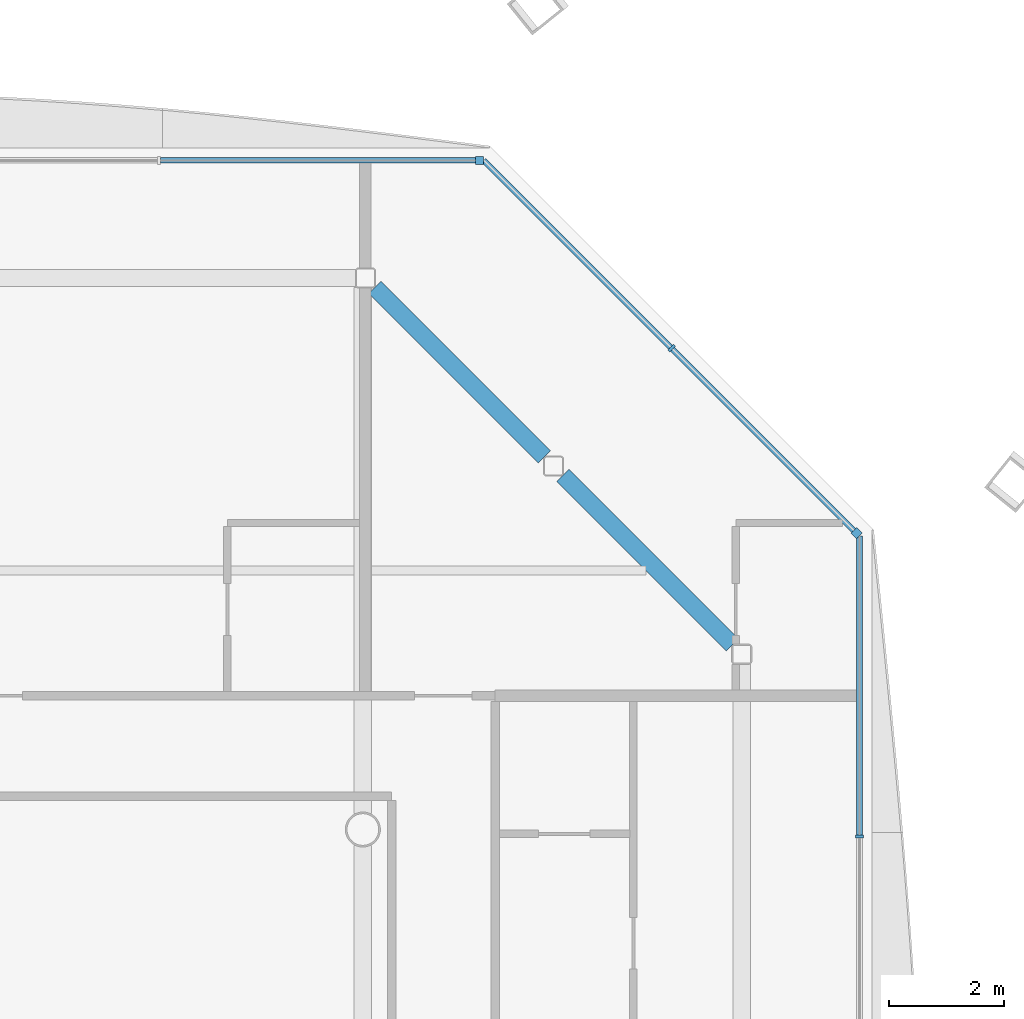
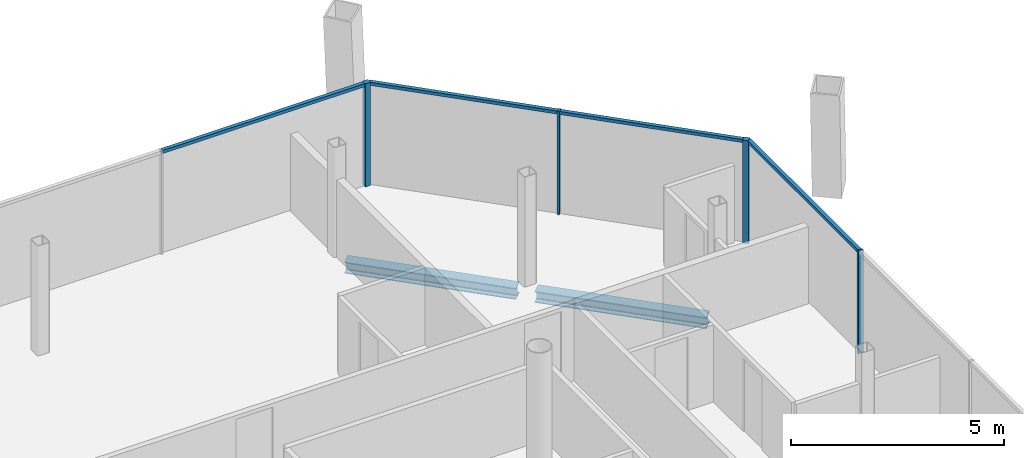
# One storey, part 12 of 20: 8 members, 2 beams, 3 elements without a shape of their own.
"""IFC4 building model written with IfcOpenShell, lengths in metres."""

from ifc_helpers import new_model, si_unit, direction, frame, origin, origin_2d, place, context, subcontext, project, spatial, rectangle, i_section, extrude, material, material_profile, profile_set, type_object, element, aggregate, save


model = new_model("IFC4")

# Units and contexts
model_context = context("Model", 3, precision=1e-05, world=origin(), true_north=direction((0.0, 1.0)))
body_context = subcontext(model_context, "Body", "Model", "MODEL_VIEW")
ifc_project = project(units=[si_unit("LENGTHUNIT", "METRE"), si_unit("AREAUNIT", "SQUARE_METRE"), si_unit("VOLUMEUNIT", "CUBIC_METRE"), si_unit("PLANEANGLEUNIT", "RADIAN"), si_unit("MASSUNIT", "GRAM", prefix="KILO")], contexts=[model_context])

# Site, building, storey
site_placement = place(None, origin())
site = spatial("IfcSite", under=ifc_project, at=site_placement, CompositionType="ELEMENT")
building_placement = place(site_placement, origin())
building = spatial("IfcBuilding", under=site, at=building_placement, Name="Tskaro Facet Tower", CompositionType="ELEMENT")
storey_placement = place(building_placement, frame((0.0, 0.0, 187.949951171875)))
storey = spatial("IfcBuildingStorey", under=building, at=storey_placement, Name="L47", CompositionType="ELEMENT", Elevation=187.949951171875)

# Curtain wall, member
ifc_material_1 = material(Name="Bronze anodised aluminium 6063-T6", Category="aluminium")
curtain_wall_type = type_object("IfcCurtainWallType", Name="Bronze residence curtain wall (FW3)", PredefinedType="NOTDEFINED", material=ifc_material_1)
curtain_wall_1_placement = place(storey_placement, origin())
curtain_wall_1 = element("IfcCurtainWall", 1, at=curtain_wall_1_placement, inside=storey, type_object=curtain_wall_type, Name="FW3 north-east facet L47", PredefinedType="NOTDEFINED")
ifc_material_profile_1 = material_profile(ifc_material_1, rectangle(XDim=0.139892578125, YDim=0.139892578125, at=origin_2d()), Name="Corner post 140x140")
ifc_profile_set_1 = profile_set([ifc_material_profile_1], Name="Bronze anodised aluminium 6063-T6")
member_type_1 = type_object("IfcMemberType", Name="FW3 bronze corner post 140x140", PredefinedType="MULLION", material=ifc_profile_set_1)
member_1_placement = place(storey_placement, frame((17.57861328125, 14.1494140625, 0.0), z_axis=(0.0, 0.0, 1.0), x_axis=(-0.707106781187, 0.707106781187, 0.0)))
member_1 = element("IfcMember", 2, at=member_1_placement, type_object=member_type_1, Name="FW3 north-east corner post", PredefinedType="MULLION", context=body_context, shape_type="SweptSolid", body=[
    extrude(rectangle(XDim=0.139892578125, YDim=0.139892578125, at=origin_2d()), origin(), (0.0, 0.0, 1.0), 2.949951171875),
])

curtain_wall_2_placement = place(storey_placement, origin())
curtain_wall_2 = element("IfcCurtainWall", 3, at=curtain_wall_2_placement, inside=storey, type_object=curtain_wall_type, Name="FW3 north facet L47", PredefinedType="NOTDEFINED")
member_2_placement = place(storey_placement, frame((11.030029296875, 20.6279296875, 0.0), z_axis=(0.0, 0.0, 1.0), x_axis=(-1.0, 0.0, 0.0)))
member_2 = element("IfcMember", 4, at=member_2_placement, type_object=member_type_1, Name="FW3 north corner post", PredefinedType="MULLION", context=body_context, shape_type="SweptSolid", body=[
    extrude(rectangle(XDim=0.139892578125, YDim=0.139892578125, at=origin_2d()), origin(), (0.0, 0.0, 1.0), 2.949951171875),
])

curtain_wall_3_placement = place(storey_placement, origin())
curtain_wall_3 = element("IfcCurtainWall", 5, at=curtain_wall_3_placement, inside=storey, type_object=curtain_wall_type, Name="FW3 east facet L47", PredefinedType="NOTDEFINED")
ifc_material_profile_2 = material_profile(ifc_material_1, rectangle(XDim=0.050048828125, YDim=0.139892578125, at=origin_2d()), Name="Mullion 50x140")
ifc_profile_set_2 = profile_set([ifc_material_profile_2], Name="Bronze anodised aluminium 6063-T6")
member_type_2 = type_object("IfcMemberType", Name="FW3 bronze mullion 50x140", PredefinedType="MULLION", material=ifc_profile_set_2)
member_3_placement = place(storey_placement, frame((17.6279296875, 8.8818359375, 0.0), z_axis=(0.0, 0.0, 1.0), x_axis=(0.0, 1.0, 0.0)))
member_3 = element("IfcMember", 6, at=member_3_placement, type_object=member_type_2, Name="FW3 east mullion 5", PredefinedType="MULLION", context=body_context, shape_type="SweptSolid", body=[
    extrude(rectangle(XDim=0.050048828125, YDim=0.139892578125, at=origin_2d()), origin(), (0.0, 0.0, 1.0), 2.949951171875),
])

# Member
member_4_placement = place(storey_placement, frame((14.364013671875, 17.364013671875, 0.0), z_axis=(0.0, 0.0, 1.0), x_axis=(-0.707106781187, 0.707106781187, 0.0)))
member_4 = element("IfcMember", 7, at=member_4_placement, type_object=member_type_2, Name="FW3 north-east mullion 1", PredefinedType="MULLION", context=body_context, shape_type="SweptSolid", body=[
    extrude(rectangle(XDim=0.050048828125, YDim=0.139892578125, at=origin_2d()), origin(), (0.0, 0.0, 1.0), 2.949951171875),
])

ifc_material_profile_3 = material_profile(ifc_material_1, rectangle(XDim=0.10009765625, YDim=0.090087890625, at=origin_2d()), Name="Transom 100x90")
ifc_profile_set_3 = profile_set([ifc_material_profile_3], Name="Bronze anodised aluminium 6063-T6")
member_type_3 = type_object("IfcMemberType", Name="FW3 bronze transom 100x90", PredefinedType="USERDEFINED", material=ifc_profile_set_3)
member_5_placement = place(storey_placement, frame((17.6279296875, 8.90673828125, 2.905029296875), z_axis=(0.0, 1.0, 0.0), x_axis=(-1.0, 0.0, 0.0)))
member_5 = element("IfcMember", 8, at=member_5_placement, type_object=member_type_3, Name="FW3 east transom 6.1", ObjectType="TRANSOM", PredefinedType="USERDEFINED", context=body_context, shape_type="SweptSolid", body=[
    extrude(rectangle(XDim=0.10009765625, YDim=0.090087890625, at=origin_2d()), origin(), (0.0, 0.0, 1.0), 5.193359375),
])

aggregate(curtain_wall_3, [member_3, member_5])

member_6_placement = place(storey_placement, frame((17.529052734375, 14.198974609375, 2.905029296875), z_axis=(-0.707106781187, 0.707106781187, 0.0), x_axis=(-0.707106781187, -0.707106781187, 0.0)))
member_6 = element("IfcMember", 9, at=member_6_placement, type_object=member_type_3, Name="FW3 north-east transom 1.1", ObjectType="TRANSOM", PredefinedType="USERDEFINED", context=body_context, shape_type="SweptSolid", body=[
    extrude(rectangle(XDim=0.10009765625, YDim=0.090087890625, at=origin_2d()), origin(), (0.0, 0.0, 1.0), 4.451171875),
])

member_7_placement = place(storey_placement, frame((14.346435546875, 17.381591796875, 2.905029296875), z_axis=(-0.707106781187, 0.707106781187, 0.0), x_axis=(-0.707106781187, -0.707106781187, 0.0)))
member_7 = element("IfcMember", 10, at=member_7_placement, type_object=member_type_3, Name="FW3 north-east transom 2.1", ObjectType="TRANSOM", PredefinedType="USERDEFINED", context=body_context, shape_type="SweptSolid", body=[
    extrude(rectangle(XDim=0.10009765625, YDim=0.090087890625, at=origin_2d()), origin(), (0.0, 0.0, 1.0), 4.591064453125),
])

aggregate(curtain_wall_1, [member_1, member_4, member_6, member_7])

member_8_placement = place(storey_placement, frame((10.9599609375, 20.6279296875, 2.905029296875), z_axis=(-1.0, 0.0, 0.0), x_axis=(0.0, -1.0, 0.0)))
member_8 = element("IfcMember", 11, at=member_8_placement, type_object=member_type_3, Name="FW3 north transom 1.1", ObjectType="TRANSOM", PredefinedType="USERDEFINED", context=body_context, shape_type="SweptSolid", body=[
    extrude(rectangle(XDim=0.10009765625, YDim=0.090087890625, at=origin_2d()), origin(), (0.0, 0.0, 1.0), 5.474853515625),
])

aggregate(curtain_wall_2, [member_2, member_8])

# Beams
ifc_material_2 = material(Name="Steel S355J2", Category="steel")
ifc_material_profile_4 = material_profile(ifc_material_2, i_section(OverallWidth=0.300048828125, OverallDepth=0.320068359375, WebThickness=0.011474609375, FlangeThickness=0.0205078125, FilletRadius=0.027099609375, at=origin_2d()), Name="HE 320 B")
ifc_profile_set_4 = profile_set([ifc_material_profile_4], Name="Steel S355J2")
beam_type = type_object("IfcBeamType", Name="HE 320 B ring beam", PredefinedType="BEAM", material=ifc_profile_set_4)
for number, where, z_axis, x_axis, name in (
    (12, (15.422119140625, 12.206787109375, -0.300048828125), (-0.70722393913, 0.706989603829, 0.0), (-0.706989603829, -0.70722393913, 0.0), "HE 320 B EB10-4"),
    (13, (12.153076171875, 15.474853515625, -0.300048828125), (-0.706989603829, 0.70722393913, 0.0), (-0.70722393913, -0.706989603829, 0.0), "HE 320 B EB11-4"),
):
    element("IfcBeam", number, at=place(storey_placement, frame(where, z_axis=z_axis, x_axis=x_axis)), inside=storey, type_object=beam_type, Name=name, PredefinedType="BEAM", context=body_context, shape_type="SweptSolid", body=[
        extrude(i_section(OverallWidth=0.300048828125, OverallDepth=0.320068359375, WebThickness=0.011474609375, FlangeThickness=0.0205078125, FilletRadius=0.027099609375, at=origin_2d()), origin(), (0.0, 0.0, 1.0), 4.16748046875),
    ])

save(model, "model.ifc")
